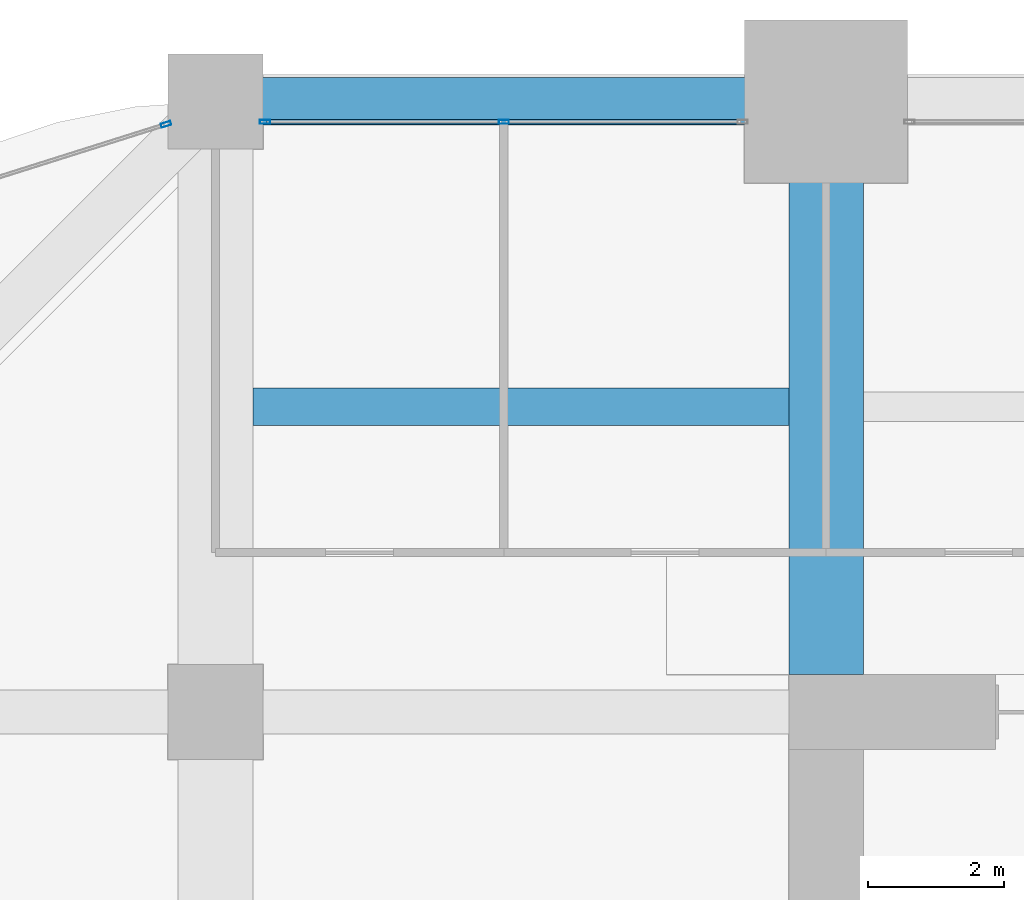
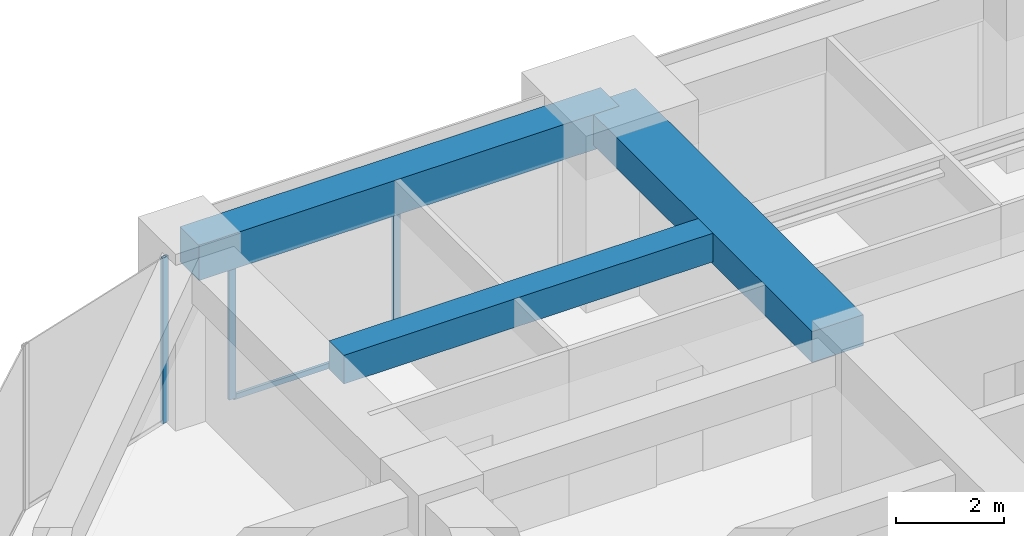
# One storey, part 23 of 33: 4 members, 3 beams, 2 elements without a shape of their own.
"""IFC4 building model written with IfcOpenShell, lengths in metres."""

from ifc_helpers import new_model, si_unit, direction, frame, origin, origin_2d, place, context, subcontext, project, spatial, rectangle, hollow_rectangle, extrude, material, material_profile, profile_set, type_object, element, aggregate, save


model = new_model("IFC4")

# Units and contexts
model_context = context("Model", 3, precision=1e-05, world=origin(), true_north=direction((0.0, 1.0)))
body_context = subcontext(model_context, "Body", "Model", "MODEL_VIEW")
ifc_project = project(units=[si_unit("LENGTHUNIT", "METRE"), si_unit("AREAUNIT", "SQUARE_METRE"), si_unit("VOLUMEUNIT", "CUBIC_METRE"), si_unit("PLANEANGLEUNIT", "RADIAN"), si_unit("MASSUNIT", "GRAM", prefix="KILO")], contexts=[model_context])

# Site, building, storey
site_placement = place(None, origin())
site = spatial("IfcSite", under=ifc_project, at=site_placement, CompositionType="ELEMENT")
building_placement = place(site_placement, origin())
building = spatial("IfcBuilding", under=site, at=building_placement, Name="Zorevar Civic Tower", CompositionType="ELEMENT")
storey_placement = place(building_placement, frame((0.0, 0.0, 210.199951171875)))
storey = spatial("IfcBuildingStorey", under=building, at=storey_placement, Name="L51", CompositionType="ELEMENT", Elevation=210.199951171875)

# Beams
ifc_material_1 = material(Name="Concrete C50/60", Category="concrete")
ifc_material_profile_1 = material_profile(ifc_material_1, rectangle(XDim=1.10009765625, YDim=0.699951171875, at=origin_2d()), Name="RC 1100x700")
ifc_profile_set_1 = profile_set([ifc_material_profile_1], Name="Concrete C50/60")
beam_type_1 = type_object("IfcBeamType", Name="Beam RC 1100x700", PredefinedType="BEAM", material=ifc_profile_set_1)
beam_1_placement = place(storey_placement, frame((18.0, 36.550048828125, 3.400146484375), z_axis=(0.0, 1.0, 0.0), x_axis=(-1.0, 0.0, 0.0)))
element("IfcBeam", 1, at=beam_1_placement, inside=storey, type_object=beam_type_1, Name="Girder L52", PredefinedType="BEAM", context=body_context, shape_type="SweptSolid", body=[
    extrude(rectangle(XDim=1.10009765625, YDim=0.699951171875, at=origin_2d()), origin(), (0.0, 0.0, 1.0), 8.449951171875),
])
ifc_material_2 = material(Name="Concrete C50/60", Category="concrete")
ifc_material_profile_2 = material_profile(ifc_material_2, rectangle(XDim=0.550048828125, YDim=0.64990234375, at=origin_2d()), Name="RC 550x650")
ifc_profile_set_2 = profile_set([ifc_material_profile_2], Name="Concrete C50/60")
beam_type_2 = type_object("IfcBeamType", Name="Beam RC 550x650", PredefinedType="BEAM", material=ifc_profile_set_2)
beam_2_placement = place(storey_placement, frame((9.550048828125, 40.5, 3.425048828125), z_axis=(1.0, 0.0, 0.0), x_axis=(0.0, 1.0, 0.0)))
element("IfcBeam", 2, at=beam_2_placement, inside=storey, type_object=beam_type_2, Name="Secondary beam L52", PredefinedType="BEAM", context=body_context, shape_type="SweptSolid", body=[
    extrude(rectangle(XDim=0.550048828125, YDim=0.64990234375, at=origin_2d()), origin(), (0.0, 0.0, 1.0), 7.89990234375),
])

# Curtain wall, members
ifc_material_3 = material(Name="Dark grey solar-control glass in black aluminium frame", Category="aluminium")
curtain_wall_type = type_object("IfcCurtainWallType", Name="Curtain wall CW4 high zone", PredefinedType="NOTDEFINED", material=ifc_material_3)
curtain_wall_1_placement = place(storey_placement, origin())
curtain_wall_1 = element("IfcCurtainWall", 3, at=curtain_wall_1_placement, inside=storey, type_object=curtain_wall_type, Name="CW4 L51", PredefinedType="NOTDEFINED")
ifc_material_4 = material(Name="Aluminium, black anodised", Category="aluminium")
ifc_material_profile_3 = material_profile(ifc_material_4, hollow_rectangle(XDim=0.06005859375, YDim=0.14990234375, WallThickness=0.00390625, at=origin_2d()), Name="AL 150x60x4")
ifc_profile_set_3 = profile_set([ifc_material_profile_3], Name="Aluminium, black anodised")
member_type_1 = type_object("IfcMemberType", Name="CW4 mullion AL 150x60x4", PredefinedType="MULLION", material=ifc_profile_set_3)
member_1_placement = place(storey_placement, frame((9.72998046875, 44.699951171875, 0.0), z_axis=(0.0, 0.0, 1.0), x_axis=(0.0, 1.0, 0.0)))
member_1 = element("IfcMember", 4, at=member_1_placement, type_object=member_type_1, Name="CW4 mullion 1", PredefinedType="MULLION", context=body_context, shape_type="SweptSolid", body=[
    extrude(hollow_rectangle(XDim=0.06005859375, YDim=0.14990234375, WallThickness=0.00390625, at=origin_2d()), origin(), (0.0, 0.0, 1.0), 2.949951171875),
])
member_2_placement = place(storey_placement, frame((13.25, 44.699951171875, 0.06005859375), z_axis=(0.0, 0.0, 1.0), x_axis=(0.0, 1.0, 0.0)))
member_2 = element("IfcMember", 5, at=member_2_placement, type_object=member_type_1, Name="CW4 mullion 2", PredefinedType="MULLION", context=body_context, shape_type="SweptSolid", body=[
    extrude(hollow_rectangle(XDim=0.06005859375, YDim=0.14990234375, WallThickness=0.00390625, at=origin_2d()), origin(), (0.0, 0.0, 1.0), 2.889892578125),
])

# Curtain wall, member
curtain_wall_2_placement = place(storey_placement, origin())
curtain_wall_2 = element("IfcCurtainWall", 6, at=curtain_wall_2_placement, inside=storey, type_object=curtain_wall_type, Name="CW4 L51", PredefinedType="NOTDEFINED")
member_3_placement = place(storey_placement, frame((8.271484375, 44.66259765625, 0.0), z_axis=(0.0, 0.0, 1.0), x_axis=(0.301108296077, -0.953589950678, 0.0)))
member_3 = element("IfcMember", 7, at=member_3_placement, type_object=member_type_1, Name="CW4 mullion 1", PredefinedType="MULLION", context=body_context, shape_type="SweptSolid", body=[
    extrude(hollow_rectangle(XDim=0.06005859375, YDim=0.14990234375, WallThickness=0.00390625, at=origin_2d()), origin(), (0.0, 0.0, 1.0), 3.75),
])
aggregate(curtain_wall_2, [member_3])

# Member
ifc_material_5 = material(Name="Aluminium, black anodised", Category="aluminium")
ifc_material_profile_4 = material_profile(ifc_material_5, hollow_rectangle(XDim=0.06005859375, YDim=0.1201171875, WallThickness=0.0029296875, at=origin_2d()), Name="AL 120x60x3")
ifc_profile_set_4 = profile_set([ifc_material_profile_4], Name="Aluminium, black anodised")
member_type_2 = type_object("IfcMemberType", Name="CW4 transom AL 120x60x3", PredefinedType="USERDEFINED", material=ifc_profile_set_4)
member_4_placement = place(storey_placement, frame((9.760009765625, 44.699951171875, 0.030029296875), z_axis=(1.0, 0.0, 0.0), x_axis=(0.0, 1.0, 0.0)))
member_4 = element("IfcMember", 8, at=member_4_placement, type_object=member_type_2, Name="CW4 sill transom", ObjectType="TRANSOM", PredefinedType="USERDEFINED", context=body_context, shape_type="SweptSolid", body=[
    extrude(hollow_rectangle(XDim=0.06005859375, YDim=0.1201171875, WallThickness=0.0029296875, at=origin_2d()), origin(), (0.0, 0.0, 1.0), 6.97998046875),
])

aggregate(curtain_wall_1, [member_1, member_2, member_4])

# Beam
ifc_material_6 = material(Name="Concrete C50/60", Category="concrete")
ifc_material_profile_5 = material_profile(ifc_material_6, rectangle(XDim=0.699951171875, YDim=0.800048828125, at=origin_2d()), Name="RC 700x800")
ifc_profile_set_5 = profile_set([ifc_material_profile_5], Name="Concrete C50/60")
beam_type_3 = type_object("IfcBeamType", Name="Edge beam RC 700x800", PredefinedType="SPANDREL", material=ifc_profile_set_5)
beam_3_placement = place(storey_placement, frame((9.0, 45.0, 3.35009765625), z_axis=(1.0, 0.0, 0.0), x_axis=(0.0, 1.0, 0.0)))
element("IfcBeam", 9, at=beam_3_placement, inside=storey, type_object=beam_type_3, Name="Edge beam L52", PredefinedType="SPANDREL", context=body_context, shape_type="SweptSolid", body=[
    extrude(rectangle(XDim=0.699951171875, YDim=0.800048828125, at=origin_2d()), origin(), (0.0, 0.0, 1.0), 9.0),
])

save(model, "model.ifc")
